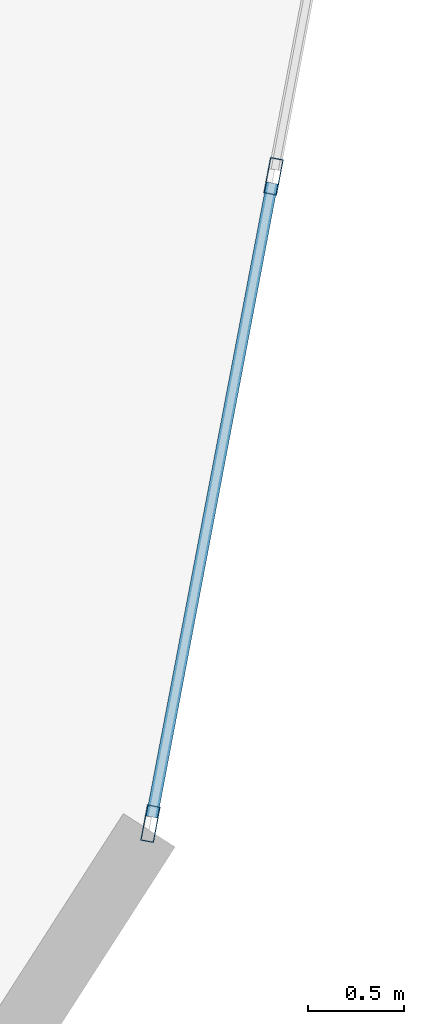
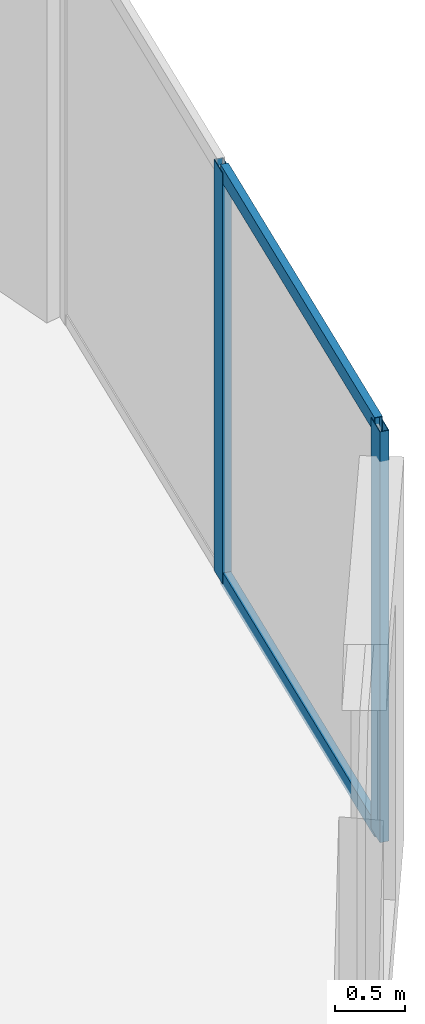
# One storey, part 7 of 22: 4 members, 1 element without a shape of its own.
"""IFC4 building model written with IfcOpenShell, lengths in metres."""

from ifc_helpers import new_model, si_unit, direction, frame, origin, origin_2d, place, context, subcontext, project, spatial, hollow_rectangle, extrude, source, transform, mapped, material, layer, layer_set, material_profile, profile_set, type_object, element, aggregate, save


model = new_model("IFC4")

# Units and contexts
model_context = context("Model", 3, precision=1e-05, world=origin(), true_north=direction((0.0, 1.0)))
body_context = subcontext(model_context, "Body", "Model", "MODEL_VIEW")
ifc_project = project(units=[si_unit("LENGTHUNIT", "METRE"), si_unit("AREAUNIT", "SQUARE_METRE"), si_unit("VOLUMEUNIT", "CUBIC_METRE"), si_unit("PLANEANGLEUNIT", "RADIAN"), si_unit("MASSUNIT", "GRAM", prefix="KILO")], contexts=[model_context])

# Site, building, storey
site_placement = place(None, origin())
site = spatial("IfcSite", under=ifc_project, at=site_placement, CompositionType="ELEMENT")
building_placement = place(site_placement, origin())
building = spatial("IfcBuilding", under=site, at=building_placement, Name="Solvirekh Grand Hotel", CompositionType="ELEMENT")
storey_placement = place(building_placement, frame((0.0, 0.0, 78.800048828125)))
storey = spatial("IfcBuildingStorey", under=building, at=storey_placement, Name="L19", CompositionType="ELEMENT", Elevation=78.800048828125)

# Curtain wall, members
ifc_material = material(Name="Anodized Bronze Aluminium 6063-T6", Category="aluminium")
ifc_layer = layer(ifc_material, 0.18994140625)
ifc_layer_set = layer_set([ifc_layer], Name="Anodized Bronze Aluminium 6063-T6")
curtain_wall_type = type_object("IfcCurtainWallType", Name="CW_Sys2_LowZoneFlushBronzeCW", PredefinedType="NOTDEFINED", material=ifc_layer_set)
curtain_wall_placement = place(storey_placement, origin())
curtain_wall = element("IfcCurtainWall", 1, at=curtain_wall_placement, inside=storey, type_object=curtain_wall_type, Name="L19 unitised bronze-glass curtain wall CW-L19-C01", PredefinedType="NOTDEFINED")
ifc_material_profile_1 = material_profile(ifc_material, hollow_rectangle(XDim=0.06005859375, YDim=0.135009765625, WallThickness=0.00390625, at=origin_2d()), Name="ALU RHS 135X60X4")
ifc_profile_set_1 = profile_set([ifc_material_profile_1], Name="Anodized Bronze Aluminium 6063-T6")
member_type_1 = type_object("IfcMemberType", Name="CWTransom_Sys2", PredefinedType="USERDEFINED", material=ifc_profile_set_1)
shared_shape_1 = source(origin(), body_context, "Body", "SweptSolid", [
    extrude(hollow_rectangle(XDim=0.06005859375, YDim=0.135009765625, WallThickness=0.00390625, at=origin_2d()), origin(), (0.0, 0.0, 1.0), 3.357421875),
])
member_1_placement = place(storey_placement, frame((26.239013671875, -9.940185546875, 0.030029296875), z_axis=(0.186737847209, 0.982409780295, 0.0), x_axis=(-0.982409780295, 0.186737847209, 0.0)))
member_1 = element("IfcMember", 2, at=member_1_placement, type_object=member_type_1, Name="U02 transom 1.1", ObjectType="TRANSOM", PredefinedType="USERDEFINED", context=body_context, shape_type="MappedRepresentation", body=[
    mapped(shared_shape_1, transform((0.0, 0.0, 0.0), x_axis=(1.0, 0.0, 0.0), y_axis=(0.0, 1.0, 0.0), z_axis=(0.0, 0.0, 1.0), scale=1.0)),
])
member_2_placement = place(storey_placement, frame((26.239013671875, -9.940185546875, 3.570068359375), z_axis=(0.186737847209, 0.982409780295, 0.0), x_axis=(-0.982409780295, 0.186737847209, 0.0)))
member_2 = element("IfcMember", 3, at=member_2_placement, type_object=member_type_1, Name="U02 transom 1.2", ObjectType="TRANSOM", PredefinedType="USERDEFINED", context=body_context, shape_type="MappedRepresentation", body=[
    mapped(shared_shape_1, transform((0.0, 0.0, 0.0), x_axis=(1.0, 0.0, 0.0), y_axis=(0.0, 1.0, 0.0), z_axis=(0.0, 0.0, 1.0), scale=1.0)),
])
ifc_material_profile_2 = material_profile(ifc_material, hollow_rectangle(XDim=0.070068359375, YDim=0.18994140625, WallThickness=0.0048828125, at=origin_2d()), Name="ALU RHS 190X70X5")
ifc_profile_set_2 = profile_set([ifc_material_profile_2], Name="Anodized Bronze Aluminium 6063-T6")
member_type_2 = type_object("IfcMemberType", Name="CWMullion_Sys2", PredefinedType="MULLION", material=ifc_profile_set_2)
shared_shape_2 = source(origin(), body_context, "Body", "SweptSolid", [
    extrude(hollow_rectangle(XDim=0.070068359375, YDim=0.18994140625, WallThickness=0.0048828125, at=origin_2d()), origin(), (0.0, 0.0, 1.0), 3.599853515625),
])
member_3_placement = place(storey_placement, frame((26.232421875, -9.974609375, 0.0), z_axis=(0.0, 0.0, 1.0), x_axis=(-0.98241306275, 0.186720577707, 0.0)))
member_3 = element("IfcMember", 4, at=member_3_placement, type_object=member_type_2, Name="U02 mullion 1", PredefinedType="MULLION", context=body_context, shape_type="MappedRepresentation", body=[
    mapped(shared_shape_2, transform((0.0, 0.0, 0.0), x_axis=(1.0, 0.0, 0.0), y_axis=(0.0, 1.0, 0.0), z_axis=(0.0, 0.0, 1.0), scale=1.0)),
])
member_4_placement = place(storey_placement, frame((26.87255859375, -6.607421875, 0.0), z_axis=(0.0, 0.0, 1.0), x_axis=(-0.98241306275, 0.186720577707, 0.0)))
member_4 = element("IfcMember", 5, at=member_4_placement, type_object=member_type_2, Name="U02 mullion 2", PredefinedType="MULLION", context=body_context, shape_type="MappedRepresentation", body=[
    mapped(shared_shape_2, transform((0.0, 0.0, 0.0), x_axis=(1.0, 0.0, 0.0), y_axis=(0.0, 1.0, 0.0), z_axis=(0.0, 0.0, 1.0), scale=1.0)),
])
aggregate(curtain_wall, [member_3, member_4, member_1, member_2])

save(model, "model.ifc")
